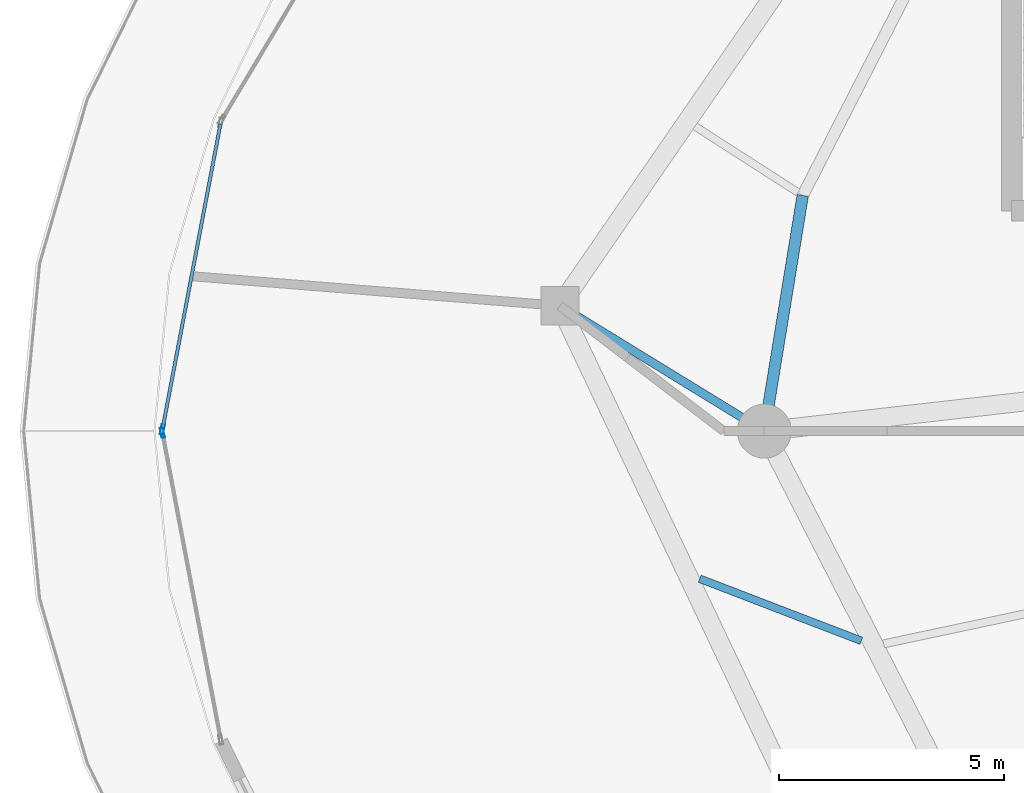
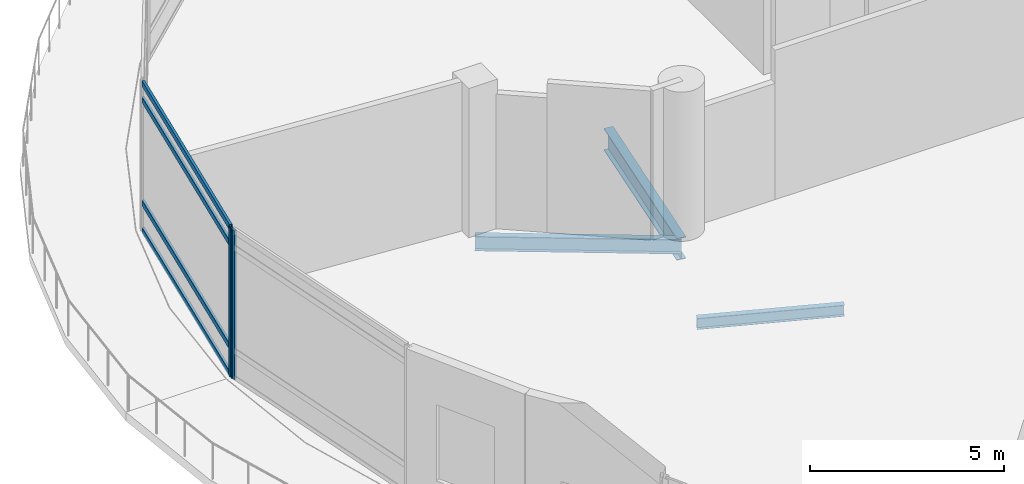
# One storey, part 7 of 37: 6 members, 3 beams, 2 elements without a shape of their own.
"""IFC4 building model written with IfcOpenShell, lengths in metres."""

from ifc_helpers import new_model, si_unit, direction, frame, origin, origin_2d, place, context, subcontext, project, spatial, hollow_rectangle, i_section, extrude, material, layer, layer_set, material_profile, profile_set, type_object, element, aggregate, save


model = new_model("IFC4")

# Units and contexts
model_context = context("Model", 3, precision=1e-05, world=origin(), true_north=direction((0.0, 1.0)))
body_context = subcontext(model_context, "Body", "Model", "MODEL_VIEW")
ifc_project = project(units=[si_unit("LENGTHUNIT", "METRE"), si_unit("AREAUNIT", "SQUARE_METRE"), si_unit("VOLUMEUNIT", "CUBIC_METRE"), si_unit("PLANEANGLEUNIT", "RADIAN"), si_unit("MASSUNIT", "GRAM", prefix="KILO")], contexts=[model_context])

# Site, building, storey
site_placement = place(None, origin())
site = spatial("IfcSite", under=ifc_project, at=site_placement, CompositionType="ELEMENT")
building_placement = place(site_placement, origin())
building = spatial("IfcBuilding", under=site, at=building_placement, Name="Nuhasar Tower", CompositionType="ELEMENT")
storey_placement = place(building_placement, frame((0.0, 0.0, 6.0)))
storey = spatial("IfcBuildingStorey", under=building, at=storey_placement, Name="L01", CompositionType="ELEMENT", Elevation=6.0)

# Beams
ifc_material_1 = material(Name="Steel S355", Category="steel")
ifc_material_profile_1 = material_profile(ifc_material_1, i_section(OverallWidth=0.1708984375, OverallDepth=0.35205078125, WebThickness=0.0068359375, FlangeThickness=0.009765625, at=origin_2d()), Name="W14X30")
ifc_profile_set_1 = profile_set([ifc_material_profile_1], Name="Steel S355")
beam_type_1 = type_object("IfcBeamType", Name="BM-JST-W14X30", PredefinedType="JOIST", material=ifc_profile_set_1)
beam_1_placement = place(storey_placement, frame((16.10693359375, 22.137939453125, -0.47607421875), z_axis=(-0.933450159454, 0.358707122616, 0.0), x_axis=(-0.358707122616, -0.933450159454, 0.0)))
element("IfcBeam", 1, at=beam_1_placement, inside=storey, type_object=beam_type_1, Name="L01 Podium Secondary Joist 15", PredefinedType="JOIST", context=body_context, shape_type="SweptSolid", body=[
    extrude(i_section(OverallWidth=0.1708984375, OverallDepth=0.35205078125, WebThickness=0.0068359375, FlangeThickness=0.009765625, at=origin_2d()), origin(), (0.0, 0.0, 1.0), 3.850341796875),
])
ifc_material_profile_2 = material_profile(ifc_material_1, i_section(OverallWidth=0.18994140625, OverallDepth=0.45703125, WebThickness=0.009033203125, FlangeThickness=0.014404296875, at=origin_2d()), Name="W18X50")
ifc_profile_set_2 = profile_set([ifc_material_profile_2], Name="Steel S355")
beam_type_2 = type_object("IfcBeamType", Name="BM-RAD-W18X50", PredefinedType="BEAM", material=ifc_profile_set_2)
beam_2_placement = place(storey_placement, frame((13.949951171875, 26.800048828125, -0.529052734375), z_axis=(-0.852495272032, 0.522734933941, 0.0), x_axis=(-0.522734933941, -0.852495272032, 0.0)))
element("IfcBeam", 2, at=beam_2_placement, inside=storey, type_object=beam_type_2, Name="L01 Podium Radial Girder 08", PredefinedType="BEAM", context=body_context, shape_type="SweptSolid", body=[
    extrude(i_section(OverallWidth=0.18994140625, OverallDepth=0.45703125, WebThickness=0.009033203125, FlangeThickness=0.014404296875, at=origin_2d()), origin(), (0.0, 0.0, 1.0), 5.331298828125),
])
ifc_material_profile_3 = material_profile(ifc_material_1, i_section(OverallWidth=0.256103515625, OverallDepth=0.693115234375, WebThickness=0.014404296875, FlangeThickness=0.023681640625, at=origin_2d()), Name="W27X114")
ifc_profile_set_3 = profile_set([ifc_material_profile_3], Name="Steel S355")
beam_type_3 = type_object("IfcBeamType", Name="BM-RING-W27X114", PredefinedType="SPANDREL", material=ifc_profile_set_3)
beam_3_placement = place(storey_placement, frame((14.803955078125, 32.041015625, -0.64599609375), z_axis=(-0.160826635486, -0.986982671235, 0.0), x_axis=(0.986982671235, -0.160826635486, 0.0)))
element("IfcBeam", 3, at=beam_3_placement, inside=storey, type_object=beam_type_3, Name="L01 Mega-Column Perimeter Ring Spandrel 07-3", PredefinedType="SPANDREL", context=body_context, shape_type="SweptSolid", body=[
    extrude(i_section(OverallWidth=0.256103515625, OverallDepth=0.693115234375, WebThickness=0.014404296875, FlangeThickness=0.023681640625, at=origin_2d()), origin(), (0.0, 0.0, 1.0), 5.31005859375),
])

# Curtain wall, member
ifc_material_2 = material(Name="Aluminium 6063-T6", Category="aluminium")
ifc_layer = layer(ifc_material_2, 0.219970703125)
ifc_layer_set = layer_set([ifc_layer], Name="Aluminium 6063-T6")
curtain_wall_type = type_object("IfcCurtainWallType", Name="CW-PODIUM", PredefinedType="NOTDEFINED", material=ifc_layer_set)
curtain_wall_1_placement = place(storey_placement, origin())
curtain_wall_1 = element("IfcCurtainWall", 4, at=curtain_wall_1_placement, inside=storey, type_object=curtain_wall_type, Name="L01 Podium Curtain Wall Bay 12", PredefinedType="NOTDEFINED")
ifc_material_profile_4 = material_profile(ifc_material_2, hollow_rectangle(XDim=0.074951171875, YDim=0.219970703125, WallThickness=0.0048828125, at=origin_2d()), Name="CWM-1")
ifc_profile_set_4 = profile_set([ifc_material_profile_4], Name="Aluminium 6063-T6")
member_type_1 = type_object("IfcMemberType", Name="CW-MUL-S1", PredefinedType="MULLION", material=ifc_profile_set_4)
member_1_placement = place(storey_placement, frame((0.56689453125, 26.8369140625, 0.0), z_axis=(0.0, 0.0, 1.0), x_axis=(0.982425758113, -0.186653769843, 0.0)))
member_1 = element("IfcMember", 5, at=member_1_placement, type_object=member_type_1, Name="CW-P1 mullion 2", PredefinedType="MULLION", context=body_context, shape_type="SweptSolid", body=[
    extrude(hollow_rectangle(XDim=0.074951171875, YDim=0.219970703125, WallThickness=0.0048828125, at=origin_2d()), origin(), (0.0, 0.0, 1.0), 4.699951171875),
])

curtain_wall_2_placement = place(storey_placement, origin())
curtain_wall_2 = element("IfcCurtainWall", 6, at=curtain_wall_2_placement, inside=storey, type_object=curtain_wall_type, Name="L01 Podium Curtain Wall Bay 13", PredefinedType="NOTDEFINED")
member_2_placement = place(storey_placement, frame((0.56689453125, 26.76318359375, 0.0), z_axis=(0.0, 0.0, 1.0), x_axis=(0.982425758113, 0.186653769843, 0.0)))
member_2 = element("IfcMember", 7, at=member_2_placement, type_object=member_type_1, Name="CW-P1 mullion 1", PredefinedType="MULLION", context=body_context, shape_type="SweptSolid", body=[
    extrude(hollow_rectangle(XDim=0.074951171875, YDim=0.219970703125, WallThickness=0.0048828125, at=origin_2d()), origin(), (0.0, 0.0, 1.0), 4.699951171875),
])
aggregate(curtain_wall_2, [member_2])

# Member
ifc_material_profile_5 = material_profile(ifc_material_2, hollow_rectangle(XDim=0.074951171875, YDim=0.179931640625, WallThickness=0.00439453125, at=origin_2d()), Name="CWT-1")
ifc_profile_set_5 = profile_set([ifc_material_profile_5], Name="Aluminium 6063-T6")
member_type_2 = type_object("IfcMemberType", Name="CW-TRN-S1", PredefinedType="USERDEFINED", material=ifc_profile_set_5)
member_3_placement = place(storey_placement, frame((1.85595703125, 33.621337890625, 0.03759765625), z_axis=(-0.186653098125, -0.982425885734, 0.0), x_axis=(0.982425885734, -0.186653098125, 0.0)))
member_3 = element("IfcMember", 8, at=member_3_placement, type_object=member_type_2, Name="CW-P1 transom 1.1", ObjectType="TRANSOM", PredefinedType="USERDEFINED", context=body_context, shape_type="SweptSolid", body=[
    extrude(hollow_rectangle(XDim=0.074951171875, YDim=0.179931640625, WallThickness=0.00439453125, at=origin_2d()), origin(), (0.0, 0.0, 1.0), 6.8681640625),
])

member_4_placement = place(storey_placement, frame((1.85595703125, 33.621337890625, 0.89990234375), z_axis=(-0.186653098125, -0.982425885734, 0.0), x_axis=(0.982425885734, -0.186653098125, 0.0)))
member_4 = element("IfcMember", 9, at=member_4_placement, type_object=member_type_2, Name="CW-P1 transom 1.2", ObjectType="TRANSOM", PredefinedType="USERDEFINED", context=body_context, shape_type="SweptSolid", body=[
    extrude(hollow_rectangle(XDim=0.074951171875, YDim=0.179931640625, WallThickness=0.00439453125, at=origin_2d()), origin(), (0.0, 0.0, 1.0), 6.8681640625),
])

member_5_placement = place(storey_placement, frame((1.85595703125, 33.621337890625, 4.14990234375), z_axis=(-0.186653098125, -0.982425885734, 0.0), x_axis=(0.982425885734, -0.186653098125, 0.0)))
member_5 = element("IfcMember", 10, at=member_5_placement, type_object=member_type_2, Name="CW-P1 transom 1.3", ObjectType="TRANSOM", PredefinedType="USERDEFINED", context=body_context, shape_type="SweptSolid", body=[
    extrude(hollow_rectangle(XDim=0.074951171875, YDim=0.179931640625, WallThickness=0.00439453125, at=origin_2d()), origin(), (0.0, 0.0, 1.0), 6.8681640625),
])

member_6_placement = place(storey_placement, frame((1.85595703125, 33.621337890625, 4.66259765625), z_axis=(-0.186653098125, -0.982425885734, 0.0), x_axis=(0.982425885734, -0.186653098125, 0.0)))
member_6 = element("IfcMember", 11, at=member_6_placement, type_object=member_type_2, Name="CW-P1 transom 1.4", ObjectType="TRANSOM", PredefinedType="USERDEFINED", context=body_context, shape_type="SweptSolid", body=[
    extrude(hollow_rectangle(XDim=0.074951171875, YDim=0.179931640625, WallThickness=0.00439453125, at=origin_2d()), origin(), (0.0, 0.0, 1.0), 6.8681640625),
])

aggregate(curtain_wall_1, [member_1, member_3, member_4, member_5, member_6])

save(model, "model.ifc")
